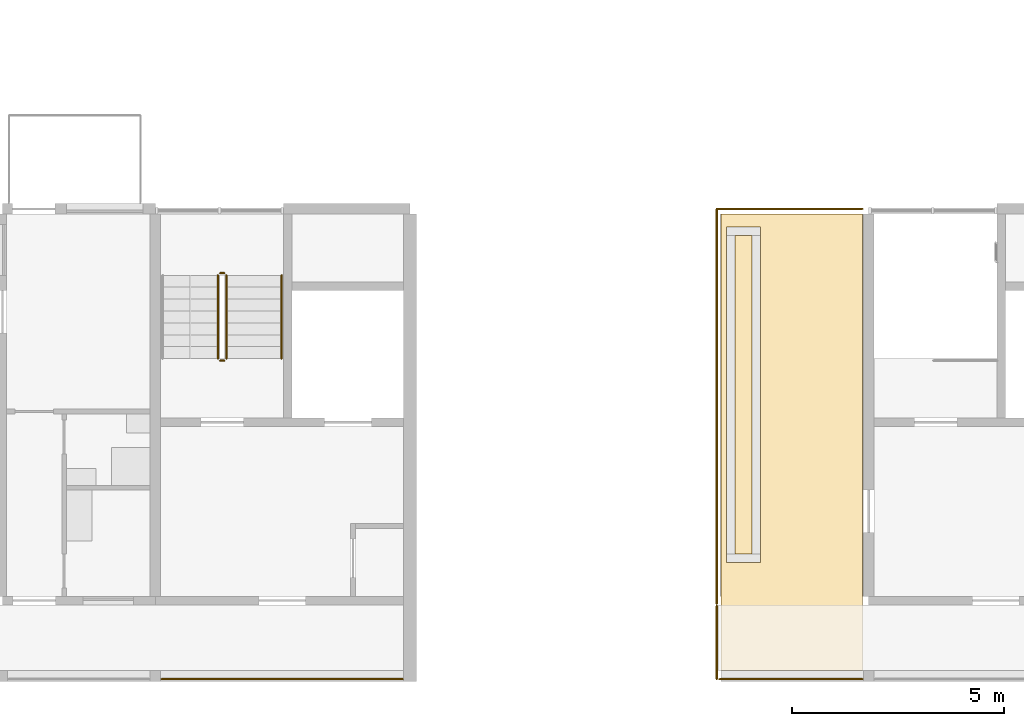
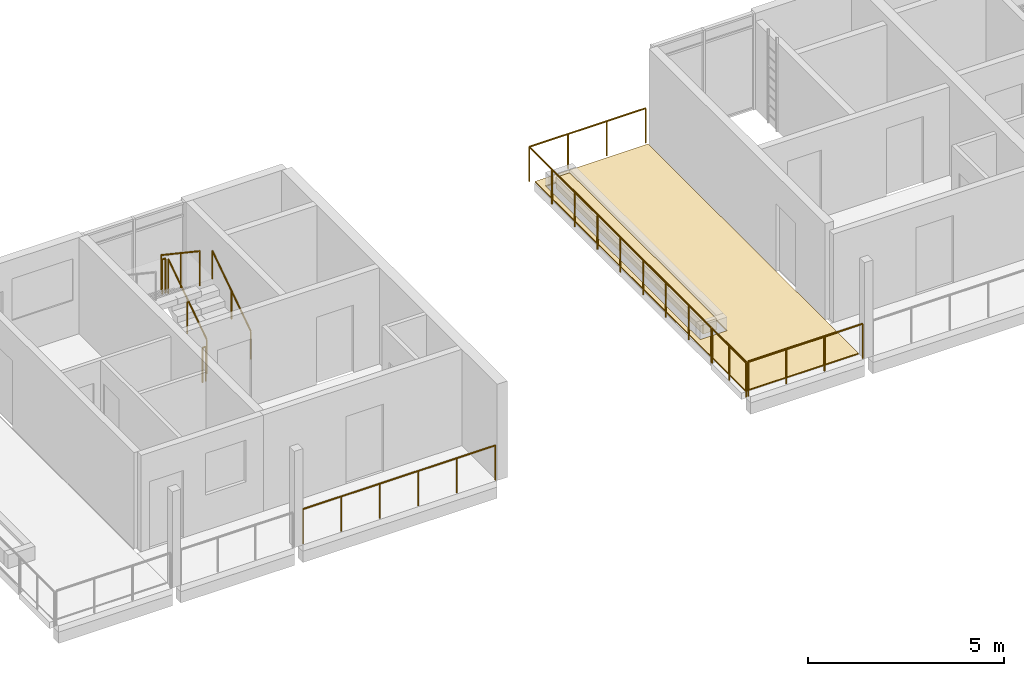
# One storey, part 36 of 41: 9 railings, 3 coverings.
"""IFC4 building model written with IfcOpenShell, lengths in metres."""

from ifc_helpers import new_model, si_unit, direction, frame, origin, origin_2d, place, context, subcontext, project, spatial, polyline, circle, outline, extrude, material, layer, layer_set, type_object, element, save


model = new_model("IFC4")

# Units and contexts
model_context = context("Model", 3, precision=1e-05, world=origin(), true_north=direction((0.0, 1.0)))
body_context = subcontext(model_context, "Body", "Model", "MODEL_VIEW")
ifc_project = project(units=[si_unit("LENGTHUNIT", "METRE"), si_unit("AREAUNIT", "SQUARE_METRE"), si_unit("VOLUMEUNIT", "CUBIC_METRE"), si_unit("PLANEANGLEUNIT", "RADIAN"), si_unit("MASSUNIT", "GRAM", prefix="KILO")], contexts=[model_context])

# Site, building, storey
site_placement = place(None, origin())
site = spatial("IfcSite", under=ifc_project, at=site_placement, CompositionType="ELEMENT")
building_placement = place(site_placement, origin())
building = spatial("IfcBuilding", under=site, at=building_placement, Name="Ridgestep Commons", CompositionType="ELEMENT")
storey_placement = place(building_placement, frame((0.0, 0.0, 39.0)))
storey = spatial("IfcBuildingStorey", under=building, at=storey_placement, Name="L13", CompositionType="ELEMENT", Elevation=39.0)

# Railings
ifc_material_1 = material(Name="Structural steel S355JR", Category="steel")
railing_type_1 = type_object("IfcRailingType", Name="Guard 1100", PredefinedType="GUARDRAIL", material=ifc_material_1)
railing_1_placement = place(storey_placement, frame((204.4208984375, 13.571044921875, 0.0)))
element("IfcRailing", 1, at=railing_1_placement, inside=storey, type_object=railing_type_1, Name="Guard TD-D4R3-GD", PredefinedType="GUARDRAIL", context=body_context, shape_type="SweptSolid", body=[
    extrude(circle(Radius=0.02392578125, at=origin_2d()), frame((0.0, 0.0, 1.076171875), z_axis=(0.0, 1.0, 0.0), x_axis=(-1.0, 0.0, 0.0)), (0.0, 0.0, 1.0), 9.303955078125),
    extrude(circle(Radius=0.02392578125, at=origin_2d()), frame((0.0, 9.303955078125, 1.076171875), z_axis=(1.0, 0.0, 0.0), x_axis=(0.0, 1.0, 0.0)), (0.0, 0.0, 1.0), 3.43310546875),
    extrude(circle(Radius=0.02099609375, at=origin_2d()), origin(), (0.0, 0.0, 1.0), 1.052001953125),
    extrude(circle(Radius=0.02099609375, at=origin_2d()), frame((0.0, 1.1630859375, 0.0)), (0.0, 0.0, 1.0), 1.052001953125),
    extrude(circle(Radius=0.02099609375, at=origin_2d()), frame((0.0, 2.325927734375, 0.0)), (0.0, 0.0, 1.0), 1.052001953125),
    extrude(circle(Radius=0.02099609375, at=origin_2d()), frame((0.0, 3.489013671875, 0.0)), (0.0, 0.0, 1.0), 1.052001953125),
    extrude(circle(Radius=0.02099609375, at=origin_2d()), frame((0.0, 4.65185546875, 0.0)), (0.0, 0.0, 1.0), 1.052001953125),
    extrude(circle(Radius=0.02099609375, at=origin_2d()), frame((0.0, 5.81494140625, 0.0)), (0.0, 0.0, 1.0), 1.052001953125),
    extrude(circle(Radius=0.02099609375, at=origin_2d()), frame((0.0, 6.97802734375, 0.0)), (0.0, 0.0, 1.0), 1.052001953125),
    extrude(circle(Radius=0.02099609375, at=origin_2d()), frame((0.0, 8.140869140625, 0.0)), (0.0, 0.0, 1.0), 1.052001953125),
    extrude(circle(Radius=0.02099609375, at=origin_2d()), frame((0.0, 9.303955078125, 0.0)), (0.0, 0.0, 1.0), 1.052001953125),
    extrude(circle(Radius=0.02099609375, at=origin_2d()), frame((1.144287109375, 9.303955078125, 0.0)), (0.0, 0.0, 1.0), 1.052001953125),
    extrude(circle(Radius=0.02099609375, at=origin_2d()), frame((2.288818359375, 9.303955078125, 0.0)), (0.0, 0.0, 1.0), 1.052001953125),
    extrude(circle(Radius=0.02099609375, at=origin_2d()), frame((3.43310546875, 9.303955078125, 0.0)), (0.0, 0.0, 1.0), 1.052001953125),
])
railing_2_placement = place(storey_placement, frame((191.345947265625, 11.800048828125, 0.0)))
element("IfcRailing", 2, at=railing_2_placement, inside=storey, type_object=railing_type_1, Name="Gallery guard D 13.3", PredefinedType="GUARDRAIL", context=body_context, shape_type="SweptSolid", body=[
    extrude(circle(Radius=0.02392578125, at=origin_2d()), frame((0.0, 0.0, 1.076171875), z_axis=(1.0, 0.0, 0.0), x_axis=(0.0, 1.0, 0.0)), (0.0, 0.0, 1.0), 5.68310546875),
    extrude(circle(Radius=0.02099609375, at=origin_2d()), origin(), (0.0, 0.0, 1.0), 1.052001953125),
    extrude(circle(Radius=0.02099609375, at=origin_2d()), frame((1.13671875, 0.0, 0.0)), (0.0, 0.0, 1.0), 1.052001953125),
    extrude(circle(Radius=0.02099609375, at=origin_2d()), frame((2.273193359375, 0.0, 0.0)), (0.0, 0.0, 1.0), 1.052001953125),
    extrude(circle(Radius=0.02099609375, at=origin_2d()), frame((3.409912109375, 0.0, 0.0)), (0.0, 0.0, 1.0), 1.052001953125),
    extrude(circle(Radius=0.02099609375, at=origin_2d()), frame((4.54638671875, 0.0, 0.0)), (0.0, 0.0, 1.0), 1.052001953125),
    extrude(circle(Radius=0.02099609375, at=origin_2d()), frame((5.68310546875, 0.0, 0.0)), (0.0, 0.0, 1.0), 1.052001953125),
])
railing_3_placement = place(storey_placement, frame((204.48388671875, 11.800048828125, 0.0)))
element("IfcRailing", 3, at=railing_3_placement, inside=storey, type_object=railing_type_1, Name="Gallery guard D 13.1", PredefinedType="GUARDRAIL", context=body_context, shape_type="SweptSolid", body=[
    extrude(circle(Radius=0.02392578125, at=origin_2d()), frame((0.0, 0.0, 1.076171875), z_axis=(1.0, 0.0, 0.0), x_axis=(0.0, 1.0, 0.0)), (0.0, 0.0, 1.0), 3.3701171875),
    extrude(circle(Radius=0.02099609375, at=origin_2d()), origin(), (0.0, 0.0, 1.0), 1.052001953125),
    extrude(circle(Radius=0.02099609375, at=origin_2d()), frame((1.123291015625, 0.0, 0.0)), (0.0, 0.0, 1.0), 1.052001953125),
    extrude(circle(Radius=0.02099609375, at=origin_2d()), frame((2.246826171875, 0.0, 0.0)), (0.0, 0.0, 1.0), 1.052001953125),
    extrude(circle(Radius=0.02099609375, at=origin_2d()), frame((3.3701171875, 0.0, 0.0)), (0.0, 0.0, 1.0), 1.052001953125),
])
railing_4_placement = place(storey_placement, frame((204.4208984375, 11.800048828125, 0.0)))
element("IfcRailing", 4, at=railing_4_placement, inside=storey, type_object=railing_type_1, Name="Gallery end guard D 13.1W", PredefinedType="GUARDRAIL", context=body_context, shape_type="SweptSolid", body=[
    extrude(circle(Radius=0.02392578125, at=origin_2d()), frame((0.0, 0.0, 1.076171875), z_axis=(0.0, 1.0, 0.0), x_axis=(-1.0, 0.0, 0.0)), (0.0, 0.0, 1.0), 1.72900390625),
    extrude(circle(Radius=0.02099609375, at=origin_2d()), origin(), (0.0, 0.0, 1.0), 1.052001953125),
    extrude(circle(Radius=0.02099609375, at=origin_2d()), frame((0.0, 0.864501953125, 0.0)), (0.0, 0.0, 1.0), 1.052001953125),
    extrude(circle(Radius=0.02099609375, at=origin_2d()), frame((0.0, 1.72900390625, 0.0)), (0.0, 0.0, 1.0), 1.052001953125),
])

# Covering
ifc_material_2 = material(Name="Planting soil")
ifc_layer_1 = layer(ifc_material_2, 0.35009765625)
ifc_layer_set_1 = layer_set([ifc_layer_1], Name="Planting soil 350")
covering_type_1 = type_object("IfcCoveringType", Name="Planting soil 350", PredefinedType="FLOORING", material=ifc_layer_set_1)
covering_1_placement = place(storey_placement, frame((0.0, 0.0, 0.010009765625)))
element("IfcCovering", 5, at=covering_1_placement, inside=storey, type_object=covering_type_1, Name="Planting soil D4R3", PredefinedType="FLOORING", context=body_context, shape_type="SweptSolid", body=[
    extrude(outline(polyline([(204.85009765625, 14.75), (205.25, 14.75), (205.25, 22.25), (204.85009765625, 22.25), (204.85009765625, 14.75)])), origin(), (0.0, 0.0, 1.0), 0.35009765625),
])

# Railings
ifc_material_3 = material(Name="Structural steel S355JR", Category="steel")
railing_type_2 = type_object("IfcRailingType", Name="Stair guard 1100", PredefinedType="GUARDRAIL", material=ifc_material_3)
railing_5_placement = place(storey_placement, frame((192.875, 19.35009765625, 0.1875)))
element("IfcRailing", 6, at=railing_5_placement, inside=storey, type_object=railing_type_2, Name="L13 D3C stair guard 1", PredefinedType="GUARDRAIL", context=body_context, shape_type="SweptSolid", body=[
    extrude(circle(Radius=0.02392578125, at=origin_2d()), frame((0.0, 0.0, 1.076171875), z_axis=(0.0, 0.830902050051, 0.556418712142), x_axis=(-1.0, 0.0, 0.0)), (0.0, 0.0, 1.0), 2.35888671875),
    extrude(circle(Radius=0.02099609375, at=origin_2d()), origin(), (0.0, 0.0, 1.0), 1.052001953125),
    extrude(circle(Radius=0.02099609375, at=origin_2d()), frame((0.0, 0.97998046875, 0.65625)), (0.0, 0.0, 1.0), 1.052001953125),
    extrude(circle(Radius=0.02099609375, at=origin_2d()), frame((0.0, 1.9599609375, 1.3125)), (0.0, 0.0, 1.0), 1.052001953125),
])
railing_6_placement = place(storey_placement, frame((192.824951171875, 21.360107421875, 1.5)))
element("IfcRailing", 7, at=railing_6_placement, inside=storey, type_object=railing_type_2, Name="L13 D3C stair guard 2", PredefinedType="GUARDRAIL", context=body_context, shape_type="SweptSolid", body=[
    extrude(circle(Radius=0.02392578125, at=origin_2d()), frame((0.0, 0.0, 1.076171875), z_axis=(-1.0, 0.0, 0.0), x_axis=(0.0, -1.0, 0.0)), (0.0, 0.0, 1.0), 0.099853515625),
    extrude(circle(Radius=0.02099609375, at=origin_2d()), origin(), (0.0, 0.0, 1.0), 1.052001953125),
    extrude(circle(Radius=0.02099609375, at=origin_2d()), frame((-0.099853515625, 0.0, 0.0)), (0.0, 0.0, 1.0), 1.052001953125),
])
railing_7_placement = place(storey_placement, frame((192.675048828125, 21.31005859375, 1.6875)))
element("IfcRailing", 8, at=railing_7_placement, inside=storey, type_object=railing_type_2, Name="L13 D3C stair guard 3", PredefinedType="GUARDRAIL", context=body_context, shape_type="SweptSolid", body=[
    extrude(circle(Radius=0.02392578125, at=origin_2d()), frame((0.0, 0.0, 1.076171875), z_axis=(0.0, -0.830902050051, 0.556418712142), x_axis=(1.0, 0.0, 0.0)), (0.0, 0.0, 1.0), 2.35888671875),
    extrude(circle(Radius=0.02099609375, at=origin_2d()), origin(), (0.0, 0.0, 1.0), 1.052001953125),
    extrude(circle(Radius=0.02099609375, at=origin_2d()), frame((0.0, -0.97998046875, 0.65625)), (0.0, 0.0, 1.0), 1.052001953125),
    extrude(circle(Radius=0.02099609375, at=origin_2d()), frame((0.0, -1.9599609375, 1.3125)), (0.0, 0.0, 1.0), 1.052001953125),
])
railing_8_placement = place(storey_placement, frame((192.824951171875, 19.300048828125, 0.0)))
element("IfcRailing", 9, at=railing_8_placement, inside=storey, type_object=railing_type_2, Name="L13 D3C stair guard 4", PredefinedType="GUARDRAIL", context=body_context, shape_type="SweptSolid", body=[
    extrude(circle(Radius=0.02392578125, at=origin_2d()), frame((0.0, 0.0, 1.076171875), z_axis=(-1.0, 0.0, 0.0), x_axis=(0.0, -1.0, 0.0)), (0.0, 0.0, 1.0), 0.099853515625),
    extrude(circle(Radius=0.02099609375, at=origin_2d()), origin(), (0.0, 0.0, 1.0), 1.052001953125),
    extrude(circle(Radius=0.02099609375, at=origin_2d()), frame((-0.099853515625, 0.0, 0.0)), (0.0, 0.0, 1.0), 1.052001953125),
])
ifc_material_4 = material(Name="Structural steel S355JR", Category="steel")
railing_type_3 = type_object("IfcRailingType", Name="Stair handrail 900", PredefinedType="HANDRAIL", material=ifc_material_4)
railing_9_placement = place(storey_placement, frame((194.175048828125, 19.35009765625, 0.1875)))
element("IfcRailing", 10, at=railing_9_placement, inside=storey, type_object=railing_type_3, Name="L13 D3C stair handrail 1", PredefinedType="HANDRAIL", context=body_context, shape_type="SweptSolid", body=[
    extrude(circle(Radius=0.02392578125, at=origin_2d()), frame((0.0, 0.0, 0.8759765625), z_axis=(0.0, 0.830902050051, 0.556418712142), x_axis=(-1.0, 0.0, 0.0)), (0.0, 0.0, 1.0), 2.35888671875),
    extrude(circle(Radius=0.02099609375, at=origin_2d()), origin(), (0.0, 0.0, 1.0), 0.851806640625),
    extrude(circle(Radius=0.02099609375, at=origin_2d()), frame((0.0, 0.97998046875, 0.65625)), (0.0, 0.0, 1.0), 0.851806640625),
    extrude(circle(Radius=0.02099609375, at=origin_2d()), frame((0.0, 1.9599609375, 1.3125)), (0.0, 0.0, 1.0), 0.851806640625),
])

# Coverings
ifc_material_5 = material(Name="Bitumen membrane, two layer")
ifc_layer_2 = layer(ifc_material_5, 0.010009765625)
ifc_layer_set_2 = layer_set([ifc_layer_2], Name="Terrace membrane 10")
covering_type_2 = type_object("IfcCoveringType", Name="Terrace membrane 10", PredefinedType="ROOFING", material=ifc_layer_set_2)
covering_2_placement = place(storey_placement, origin())
element("IfcCovering", 11, at=covering_2_placement, inside=storey, type_object=covering_type_2, Name="Terrace membrane D4R3", PredefinedType="ROOFING", context=body_context, shape_type="SweptSolid", body=[
    extrude(outline(polyline([(207.85009765625, 12.0), (207.85009765625, 22.75), (204.52490234375, 22.75), (204.52490234375, 12.0), (207.85009765625, 12.0)]), holes=[polyline([(205.449951171875, 14.550048828125), (205.449951171875, 22.449951171875), (204.64990234375, 22.449951171875), (204.64990234375, 14.550048828125), (205.449951171875, 14.550048828125)])]), origin(), (0.0, 0.0, 1.0), 0.010009765625),
])
ifc_material_6 = material(Name="Concrete paving slab", Category="concrete")
ifc_layer_3 = layer(ifc_material_6, 0.030029296875)
ifc_layer_set_3 = layer_set([ifc_layer_3], Name="Terrace paving 30")
covering_type_3 = type_object("IfcCoveringType", Name="Terrace paving 30", PredefinedType="FLOORING", material=ifc_layer_set_3)
covering_3_placement = place(storey_placement, frame((0.0, 0.0, 0.010009765625)))
element("IfcCovering", 12, at=covering_3_placement, inside=storey, type_object=covering_type_3, Name="Terrace paving D4R3", PredefinedType="FLOORING", context=body_context, shape_type="SweptSolid", body=[
    extrude(outline(polyline([(207.85009765625, 12.0), (207.85009765625, 22.75), (204.52490234375, 22.75), (204.52490234375, 12.0), (207.85009765625, 12.0)]), holes=[polyline([(205.449951171875, 14.550048828125), (205.449951171875, 22.449951171875), (204.64990234375, 22.449951171875), (204.64990234375, 14.550048828125), (205.449951171875, 14.550048828125)])]), origin(), (0.0, 0.0, 1.0), 0.030029296875),
])

save(model, "model.ifc")
